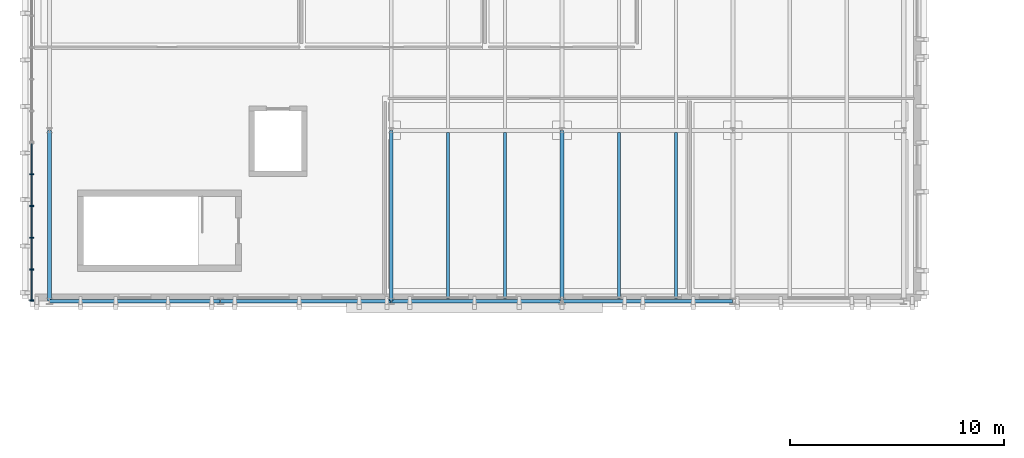
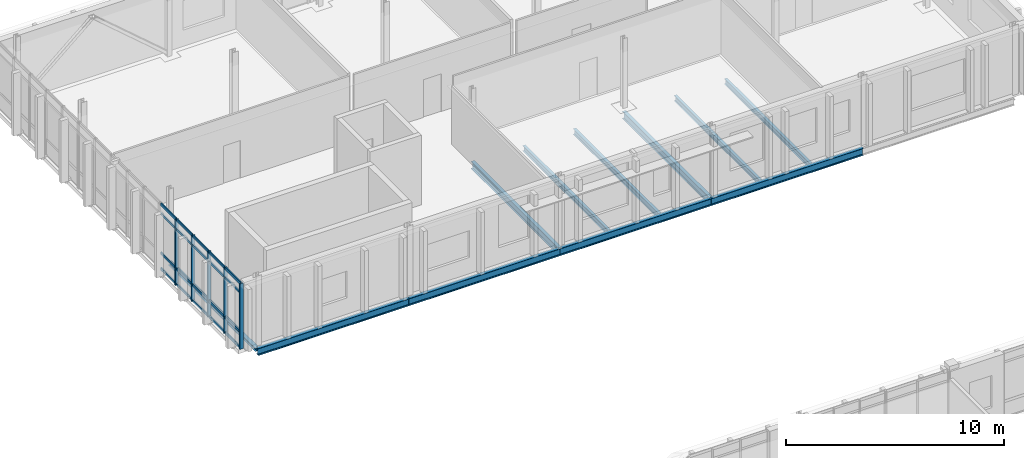
# One storey, part 12 of 40: 25 members, 11 beams, 1 element without a shape of its own.
"""IFC4 building model written with IfcOpenShell, lengths in metres."""

from ifc_helpers import new_model, si_unit, direction, frame, origin, origin_2d, place, context, subcontext, project, spatial, rectangle, i_section, extrude, material, material_profile, profile_set, type_object, element, aggregate, save


model = new_model("IFC4")

# Units and contexts
model_context = context("Model", 3, precision=1e-05, world=origin(), true_north=direction((0.0, 1.0)))
body_context = subcontext(model_context, "Body", "Model", "MODEL_VIEW")
ifc_project = project(units=[si_unit("LENGTHUNIT", "METRE"), si_unit("AREAUNIT", "SQUARE_METRE"), si_unit("VOLUMEUNIT", "CUBIC_METRE"), si_unit("PLANEANGLEUNIT", "RADIAN"), si_unit("MASSUNIT", "GRAM", prefix="KILO")], contexts=[model_context])

# Site, building, storey
site_placement = place(None, origin())
site = spatial("IfcSite", under=ifc_project, at=site_placement, CompositionType="ELEMENT")
building_placement = place(site_placement, origin())
building = spatial("IfcBuilding", under=site, at=building_placement, Name="Cymarion Research Institute", CompositionType="ELEMENT")
storey_placement = place(building_placement, frame((0.0, 0.0, 26.699951171875)))
storey = spatial("IfcBuildingStorey", under=building, at=storey_placement, Name="L06", CompositionType="ELEMENT", Elevation=26.699951171875)

# Curtain wall, members
ifc_material_1 = material(Name="Anodised aluminium unitised curtain wall with Low-E glazing", Category="aluminium")
curtain_wall_type = type_object("IfcCurtainWallType", Name="UNITISED CURTAIN WALL CW65 7430X3660", PredefinedType="NOTDEFINED", material=ifc_material_1)
curtain_wall_placement = place(storey_placement, origin())
curtain_wall = element("IfcCurtainWall", 1, at=curtain_wall_placement, inside=storey, type_object=curtain_wall_type, Name="L06 V5 unitised curtain wall CW65 #229", PredefinedType="NOTDEFINED")
ifc_material_2 = material(Name="Anodised aluminium framing", Category="aluminium")
ifc_material_profile_1 = material_profile(ifc_material_2, rectangle(XDim=0.06005859375, YDim=0.179931640625, at=origin_2d()), Name="ALU MULLION 60x180")
ifc_profile_set_1 = profile_set([ifc_material_profile_1], Name="Anodised aluminium framing")
member_type_1 = type_object("IfcMemberType", Name="CURTAIN WALL MULLION ML01 60X180", PredefinedType="MULLION", material=ifc_profile_set_1)
member_1_placement = place(storey_placement, frame((5.77001953125, 99.44091796875, 0.0), z_axis=(0.0, 0.0, 1.0), x_axis=(0.0, -1.0, 0.0)))
member_1 = element("IfcMember", 2, at=member_1_placement, type_object=member_type_1, Name="CW65 mullion 2", PredefinedType="MULLION", context=body_context, shape_type="SweptSolid", body=[
    extrude(rectangle(XDim=0.06005859375, YDim=0.179931640625, at=origin_2d()), origin(), (0.0, 0.0, 1.0), 3.66015625),
])
member_2_placement = place(storey_placement, frame((5.77001953125, 97.95556640625, 0.0), z_axis=(0.0, 0.0, 1.0), x_axis=(0.0, -1.0, 0.0)))
member_2 = element("IfcMember", 3, at=member_2_placement, type_object=member_type_1, Name="CW65 mullion 3", PredefinedType="MULLION", context=body_context, shape_type="SweptSolid", body=[
    extrude(rectangle(XDim=0.06005859375, YDim=0.179931640625, at=origin_2d()), origin(), (0.0, 0.0, 1.0), 3.66015625),
])
member_3_placement = place(storey_placement, frame((5.77001953125, 96.470458984375, 0.0), z_axis=(0.0, 0.0, 1.0), x_axis=(0.0, -1.0, 0.0)))
member_3 = element("IfcMember", 4, at=member_3_placement, type_object=member_type_1, Name="CW65 mullion 4", PredefinedType="MULLION", context=body_context, shape_type="SweptSolid", body=[
    extrude(rectangle(XDim=0.06005859375, YDim=0.179931640625, at=origin_2d()), origin(), (0.0, 0.0, 1.0), 3.66015625),
])
member_4_placement = place(storey_placement, frame((5.77001953125, 94.985107421875, 0.0), z_axis=(0.0, 0.0, 1.0), x_axis=(0.0, -1.0, 0.0)))
member_4 = element("IfcMember", 5, at=member_4_placement, type_object=member_type_1, Name="CW65 mullion 5", PredefinedType="MULLION", context=body_context, shape_type="SweptSolid", body=[
    extrude(rectangle(XDim=0.06005859375, YDim=0.179931640625, at=origin_2d()), origin(), (0.0, 0.0, 1.0), 3.66015625),
])
member_5_placement = place(storey_placement, frame((5.77001953125, 93.530029296875, 0.0), z_axis=(0.0, 0.0, 1.0), x_axis=(0.0, -1.0, 0.0)))
member_5 = element("IfcMember", 6, at=member_5_placement, type_object=member_type_1, Name="CW65 mullion 6", PredefinedType="MULLION", context=body_context, shape_type="SweptSolid", body=[
    extrude(rectangle(XDim=0.06005859375, YDim=0.179931640625, at=origin_2d()), origin(), (0.0, 0.0, 1.0), 3.66015625),
])
ifc_material_profile_2 = material_profile(ifc_material_2, rectangle(XDim=0.06005859375, YDim=0.14990234375, at=origin_2d()), Name="ALU TRANSOM 60x150")
ifc_profile_set_2 = profile_set([ifc_material_profile_2], Name="Anodised aluminium framing")
member_type_2 = type_object("IfcMemberType", Name="CURTAIN WALL TRANSOM TR01 60X150", PredefinedType="USERDEFINED", material=ifc_profile_set_2)
member_6_placement = place(storey_placement, frame((5.77001953125, 100.865966796875, 0.030029296875), z_axis=(0.0, -1.0, 0.0), x_axis=(1.0, 0.0, 0.0)))
member_6 = element("IfcMember", 7, at=member_6_placement, type_object=member_type_2, Name="CW65 transom 1.1", ObjectType="TRANSOM", PredefinedType="USERDEFINED", context=body_context, shape_type="SweptSolid", body=[
    extrude(rectangle(XDim=0.06005859375, YDim=0.14990234375, at=origin_2d()), origin(), (0.0, 0.0, 1.0), 1.395263671875),
])
member_7_placement = place(storey_placement, frame((5.77001953125, 100.865966796875, 0.900146484375), z_axis=(0.0, -1.0, 0.0), x_axis=(1.0, 0.0, 0.0)))
member_7 = element("IfcMember", 8, at=member_7_placement, type_object=member_type_2, Name="CW65 transom 1.2", ObjectType="TRANSOM", PredefinedType="USERDEFINED", context=body_context, shape_type="SweptSolid", body=[
    extrude(rectangle(XDim=0.06005859375, YDim=0.14990234375, at=origin_2d()), origin(), (0.0, 0.0, 1.0), 1.395263671875),
])
member_8_placement = place(storey_placement, frame((5.77001953125, 100.865966796875, 3.110107421875), z_axis=(0.0, -1.0, 0.0), x_axis=(1.0, 0.0, 0.0)))
member_8 = element("IfcMember", 9, at=member_8_placement, type_object=member_type_2, Name="CW65 transom 1.3", ObjectType="TRANSOM", PredefinedType="USERDEFINED", context=body_context, shape_type="SweptSolid", body=[
    extrude(rectangle(XDim=0.06005859375, YDim=0.14990234375, at=origin_2d()), origin(), (0.0, 0.0, 1.0), 1.395263671875),
])
member_9_placement = place(storey_placement, frame((5.77001953125, 100.865966796875, 3.630126953125), z_axis=(0.0, -1.0, 0.0), x_axis=(1.0, 0.0, 0.0)))
member_9 = element("IfcMember", 10, at=member_9_placement, type_object=member_type_2, Name="CW65 transom 1.4", ObjectType="TRANSOM", PredefinedType="USERDEFINED", context=body_context, shape_type="SweptSolid", body=[
    extrude(rectangle(XDim=0.06005859375, YDim=0.14990234375, at=origin_2d()), origin(), (0.0, 0.0, 1.0), 1.395263671875),
])
member_10_placement = place(storey_placement, frame((5.77001953125, 99.410888671875, 0.030029296875), z_axis=(0.0, -1.0, 0.0), x_axis=(1.0, 0.0, 0.0)))
member_10 = element("IfcMember", 11, at=member_10_placement, type_object=member_type_2, Name="CW65 transom 2.1", ObjectType="TRANSOM", PredefinedType="USERDEFINED", context=body_context, shape_type="SweptSolid", body=[
    extrude(rectangle(XDim=0.06005859375, YDim=0.14990234375, at=origin_2d()), origin(), (0.0, 0.0, 1.0), 1.42529296875),
])
member_11_placement = place(storey_placement, frame((5.77001953125, 99.410888671875, 0.900146484375), z_axis=(0.0, -1.0, 0.0), x_axis=(1.0, 0.0, 0.0)))
member_11 = element("IfcMember", 12, at=member_11_placement, type_object=member_type_2, Name="CW65 transom 2.2", ObjectType="TRANSOM", PredefinedType="USERDEFINED", context=body_context, shape_type="SweptSolid", body=[
    extrude(rectangle(XDim=0.06005859375, YDim=0.14990234375, at=origin_2d()), origin(), (0.0, 0.0, 1.0), 1.42529296875),
])
member_12_placement = place(storey_placement, frame((5.77001953125, 99.410888671875, 3.110107421875), z_axis=(0.0, -1.0, 0.0), x_axis=(1.0, 0.0, 0.0)))
member_12 = element("IfcMember", 13, at=member_12_placement, type_object=member_type_2, Name="CW65 transom 2.3", ObjectType="TRANSOM", PredefinedType="USERDEFINED", context=body_context, shape_type="SweptSolid", body=[
    extrude(rectangle(XDim=0.06005859375, YDim=0.14990234375, at=origin_2d()), origin(), (0.0, 0.0, 1.0), 1.42529296875),
])
member_13_placement = place(storey_placement, frame((5.77001953125, 99.410888671875, 3.630126953125), z_axis=(0.0, -1.0, 0.0), x_axis=(1.0, 0.0, 0.0)))
member_13 = element("IfcMember", 14, at=member_13_placement, type_object=member_type_2, Name="CW65 transom 2.4", ObjectType="TRANSOM", PredefinedType="USERDEFINED", context=body_context, shape_type="SweptSolid", body=[
    extrude(rectangle(XDim=0.06005859375, YDim=0.14990234375, at=origin_2d()), origin(), (0.0, 0.0, 1.0), 1.42529296875),
])
member_14_placement = place(storey_placement, frame((5.77001953125, 97.925537109375, 0.030029296875), z_axis=(0.0, -1.0, 0.0), x_axis=(1.0, 0.0, 0.0)))
member_14 = element("IfcMember", 15, at=member_14_placement, type_object=member_type_2, Name="CW65 transom 3.1", ObjectType="TRANSOM", PredefinedType="USERDEFINED", context=body_context, shape_type="SweptSolid", body=[
    extrude(rectangle(XDim=0.06005859375, YDim=0.14990234375, at=origin_2d()), origin(), (0.0, 0.0, 1.0), 1.425048828125),
])
member_15_placement = place(storey_placement, frame((5.77001953125, 97.925537109375, 0.900146484375), z_axis=(0.0, -1.0, 0.0), x_axis=(1.0, 0.0, 0.0)))
member_15 = element("IfcMember", 16, at=member_15_placement, type_object=member_type_2, Name="CW65 transom 3.2", ObjectType="TRANSOM", PredefinedType="USERDEFINED", context=body_context, shape_type="SweptSolid", body=[
    extrude(rectangle(XDim=0.06005859375, YDim=0.14990234375, at=origin_2d()), origin(), (0.0, 0.0, 1.0), 1.425048828125),
])
member_16_placement = place(storey_placement, frame((5.77001953125, 97.925537109375, 3.110107421875), z_axis=(0.0, -1.0, 0.0), x_axis=(1.0, 0.0, 0.0)))
member_16 = element("IfcMember", 17, at=member_16_placement, type_object=member_type_2, Name="CW65 transom 3.3", ObjectType="TRANSOM", PredefinedType="USERDEFINED", context=body_context, shape_type="SweptSolid", body=[
    extrude(rectangle(XDim=0.06005859375, YDim=0.14990234375, at=origin_2d()), origin(), (0.0, 0.0, 1.0), 1.425048828125),
])
member_17_placement = place(storey_placement, frame((5.77001953125, 97.925537109375, 3.630126953125), z_axis=(0.0, -1.0, 0.0), x_axis=(1.0, 0.0, 0.0)))
member_17 = element("IfcMember", 18, at=member_17_placement, type_object=member_type_2, Name="CW65 transom 3.4", ObjectType="TRANSOM", PredefinedType="USERDEFINED", context=body_context, shape_type="SweptSolid", body=[
    extrude(rectangle(XDim=0.06005859375, YDim=0.14990234375, at=origin_2d()), origin(), (0.0, 0.0, 1.0), 1.425048828125),
])
member_18_placement = place(storey_placement, frame((5.77001953125, 96.4404296875, 0.030029296875), z_axis=(0.0, -1.0, 0.0), x_axis=(1.0, 0.0, 0.0)))
member_18 = element("IfcMember", 19, at=member_18_placement, type_object=member_type_2, Name="CW65 transom 4.1", ObjectType="TRANSOM", PredefinedType="USERDEFINED", context=body_context, shape_type="SweptSolid", body=[
    extrude(rectangle(XDim=0.06005859375, YDim=0.14990234375, at=origin_2d()), origin(), (0.0, 0.0, 1.0), 1.42529296875),
])
member_19_placement = place(storey_placement, frame((5.77001953125, 96.4404296875, 0.900146484375), z_axis=(0.0, -1.0, 0.0), x_axis=(1.0, 0.0, 0.0)))
member_19 = element("IfcMember", 20, at=member_19_placement, type_object=member_type_2, Name="CW65 transom 4.2", ObjectType="TRANSOM", PredefinedType="USERDEFINED", context=body_context, shape_type="SweptSolid", body=[
    extrude(rectangle(XDim=0.06005859375, YDim=0.14990234375, at=origin_2d()), origin(), (0.0, 0.0, 1.0), 1.42529296875),
])
member_20_placement = place(storey_placement, frame((5.77001953125, 96.4404296875, 3.110107421875), z_axis=(0.0, -1.0, 0.0), x_axis=(1.0, 0.0, 0.0)))
member_20 = element("IfcMember", 21, at=member_20_placement, type_object=member_type_2, Name="CW65 transom 4.3", ObjectType="TRANSOM", PredefinedType="USERDEFINED", context=body_context, shape_type="SweptSolid", body=[
    extrude(rectangle(XDim=0.06005859375, YDim=0.14990234375, at=origin_2d()), origin(), (0.0, 0.0, 1.0), 1.42529296875),
])
member_21_placement = place(storey_placement, frame((5.77001953125, 96.4404296875, 3.630126953125), z_axis=(0.0, -1.0, 0.0), x_axis=(1.0, 0.0, 0.0)))
member_21 = element("IfcMember", 22, at=member_21_placement, type_object=member_type_2, Name="CW65 transom 4.4", ObjectType="TRANSOM", PredefinedType="USERDEFINED", context=body_context, shape_type="SweptSolid", body=[
    extrude(rectangle(XDim=0.06005859375, YDim=0.14990234375, at=origin_2d()), origin(), (0.0, 0.0, 1.0), 1.42529296875),
])
member_22_placement = place(storey_placement, frame((5.77001953125, 94.955078125, 0.030029296875), z_axis=(0.0, -1.0, 0.0), x_axis=(1.0, 0.0, 0.0)))
member_22 = element("IfcMember", 23, at=member_22_placement, type_object=member_type_2, Name="CW65 transom 5.1", ObjectType="TRANSOM", PredefinedType="USERDEFINED", context=body_context, shape_type="SweptSolid", body=[
    extrude(rectangle(XDim=0.06005859375, YDim=0.14990234375, at=origin_2d()), origin(), (0.0, 0.0, 1.0), 1.39501953125),
])
member_23_placement = place(storey_placement, frame((5.77001953125, 94.955078125, 0.900146484375), z_axis=(0.0, -1.0, 0.0), x_axis=(1.0, 0.0, 0.0)))
member_23 = element("IfcMember", 24, at=member_23_placement, type_object=member_type_2, Name="CW65 transom 5.2", ObjectType="TRANSOM", PredefinedType="USERDEFINED", context=body_context, shape_type="SweptSolid", body=[
    extrude(rectangle(XDim=0.06005859375, YDim=0.14990234375, at=origin_2d()), origin(), (0.0, 0.0, 1.0), 1.39501953125),
])
member_24_placement = place(storey_placement, frame((5.77001953125, 94.955078125, 3.110107421875), z_axis=(0.0, -1.0, 0.0), x_axis=(1.0, 0.0, 0.0)))
member_24 = element("IfcMember", 25, at=member_24_placement, type_object=member_type_2, Name="CW65 transom 5.3", ObjectType="TRANSOM", PredefinedType="USERDEFINED", context=body_context, shape_type="SweptSolid", body=[
    extrude(rectangle(XDim=0.06005859375, YDim=0.14990234375, at=origin_2d()), origin(), (0.0, 0.0, 1.0), 1.39501953125),
])
member_25_placement = place(storey_placement, frame((5.77001953125, 94.955078125, 3.630126953125), z_axis=(0.0, -1.0, 0.0), x_axis=(1.0, 0.0, 0.0)))
member_25 = element("IfcMember", 26, at=member_25_placement, type_object=member_type_2, Name="CW65 transom 5.4", ObjectType="TRANSOM", PredefinedType="USERDEFINED", context=body_context, shape_type="SweptSolid", body=[
    extrude(rectangle(XDim=0.06005859375, YDim=0.14990234375, at=origin_2d()), origin(), (0.0, 0.0, 1.0), 1.39501953125),
])
aggregate(curtain_wall, [member_1, member_2, member_3, member_4, member_5, member_6, member_7, member_8, member_9, member_10, member_11, member_12, member_13, member_14, member_15, member_16, member_17, member_18, member_19, member_20, member_21, member_22, member_23, member_24, member_25])

# Beams
ifc_material_3 = material(Name="Steel S355", Category="steel")
ifc_material_profile_3 = material_profile(ifc_material_3, i_section(OverallWidth=0.179931640625, OverallDepth=0.39990234375, WebThickness=0.008544921875, FlangeThickness=0.013427734375, FilletRadius=0.02099609375, at=origin_2d()), Name="IPE 400")
ifc_profile_set_3 = profile_set([ifc_material_profile_3], Name="Steel S355")
beam_type_1 = type_object("IfcBeamType", Name="PRIMARY GIRDER BM05 IPE 400", PredefinedType="BEAM", material=ifc_profile_set_3)
for number, where, z_axis, x_axis, name in (
    (27, (6.60595703125, 93.5, -0.419921875), (1.0, 0.0, 0.0), (0.0, 1.0, 0.0), "L06 V5 girder BM05 #2136"),
    (28, (14.60595703125, 93.5, -0.419921875), (1.0, 0.0, 0.0), (0.0, 1.0, 0.0), "L06 V5 girder BM05 #2137"),
    (29, (22.60595703125, 93.5, -0.419921875), (1.0, 0.0, 0.0), (0.0, 1.0, 0.0), "L06 V5 girder BM05 #2138"),
    (30, (30.60595703125, 93.5, -0.419921875), (1.0, 0.0, 0.0), (0.0, 1.0, 0.0), "L06 V5 girder BM05 #2139"),
):
    element("IfcBeam", number, at=place(storey_placement, frame(where, z_axis=z_axis, x_axis=x_axis)), inside=storey, type_object=beam_type_1, Name=name, PredefinedType="BEAM", context=body_context, shape_type="SweptSolid", body=[
        extrude(i_section(OverallWidth=0.179931640625, OverallDepth=0.39990234375, WebThickness=0.008544921875, FlangeThickness=0.013427734375, FilletRadius=0.02099609375, at=origin_2d()), origin(), (0.0, 0.0, 1.0), 7.988037109375),
    ])
for number, where, z_axis, x_axis, name in (
    (31, (22.60009765625, 93.506103515625, -0.419921875), (0.0, 1.0, 0.0), (-1.0, 0.0, 0.0), "L06 V5 girder BM05 #2158"),
    (32, (30.60009765625, 93.506103515625, -0.419921875), (0.0, 1.0, 0.0), (-1.0, 0.0, 0.0), "L06 V5 girder BM05 #2161"),
):
    element("IfcBeam", number, at=place(storey_placement, frame(where, z_axis=z_axis, x_axis=x_axis)), inside=storey, type_object=beam_type_1, Name=name, PredefinedType="BEAM", context=body_context, shape_type="SweptSolid", body=[
        extrude(i_section(OverallWidth=0.179931640625, OverallDepth=0.39990234375, WebThickness=0.008544921875, FlangeThickness=0.013427734375, FilletRadius=0.02099609375, at=origin_2d()), origin(), (0.0, 0.0, 1.0), 7.98779296875),
    ])
ifc_material_profile_4 = material_profile(ifc_material_3, i_section(OverallWidth=0.14990234375, OverallDepth=0.300048828125, WebThickness=0.007080078125, FlangeThickness=0.0107421875, FilletRadius=0.014892578125, at=origin_2d()), Name="IPE 300")
ifc_profile_set_4 = profile_set([ifc_material_profile_4], Name="Steel S355")
beam_type_2 = type_object("IfcBeamType", Name="SECONDARY JOIST JS02 IPE 300", PredefinedType="JOIST", material=ifc_profile_set_4)
for number, where, z_axis, x_axis, name in (
    (33, (25.2666015625, 93.593994140625, -0.369873046875), (0.0, 1.0, 0.0), (-1.0, 0.0, 0.0), "L06 V5 secondary joist JS02 #2169"),
    (34, (27.933349609375, 93.593994140625, -0.369873046875), (0.0, 1.0, 0.0), (-1.0, 0.0, 0.0), "L06 V5 secondary joist JS02 #2170"),
    (35, (33.2666015625, 93.593994140625, -0.369873046875), (0.0, 1.0, 0.0), (-1.0, 0.0, 0.0), "L06 V5 secondary joist JS02 #2171"),
    (36, (35.933349609375, 93.593994140625, -0.369873046875), (0.0, 1.0, 0.0), (-1.0, 0.0, 0.0), "L06 V5 secondary joist JS02 #2172"),
):
    element("IfcBeam", number, at=place(storey_placement, frame(where, z_axis=z_axis, x_axis=x_axis)), inside=storey, type_object=beam_type_2, Name=name, PredefinedType="JOIST", context=body_context, shape_type="SweptSolid", body=[
        extrude(i_section(OverallWidth=0.14990234375, OverallDepth=0.300048828125, WebThickness=0.007080078125, FlangeThickness=0.0107421875, FilletRadius=0.014892578125, at=origin_2d()), origin(), (0.0, 0.0, 1.0), 7.81201171875),
    ])
ifc_material_profile_5 = material_profile(ifc_material_3, i_section(OverallWidth=0.199951171875, OverallDepth=0.18994140625, WebThickness=0.006591796875, FlangeThickness=0.010009765625, FilletRadius=0.01806640625, at=origin_2d()), Name="HEA 200")
ifc_profile_set_5 = profile_set([ifc_material_profile_5], Name="Steel S355")
beam_type_3 = type_object("IfcBeamType", Name="SPANDREL BEAM SPB04 HEA 200", PredefinedType="SPANDREL", material=ifc_profile_set_5)
beam_placement = place(storey_placement, frame((6.60009765625, 93.506103515625, -0.31494140625), z_axis=(0.0, 1.0, 0.0), x_axis=(-1.0, 0.0, 0.0)))
element("IfcBeam", 37, at=beam_placement, inside=storey, type_object=beam_type_3, Name="L06 V5 girder SPB04 #2154", PredefinedType="SPANDREL", context=body_context, shape_type="SweptSolid", body=[
    extrude(i_section(OverallWidth=0.199951171875, OverallDepth=0.18994140625, WebThickness=0.006591796875, FlangeThickness=0.010009765625, FilletRadius=0.01806640625, at=origin_2d()), origin(), (0.0, 0.0, 1.0), 7.98779296875),
])

save(model, "model.ifc")
